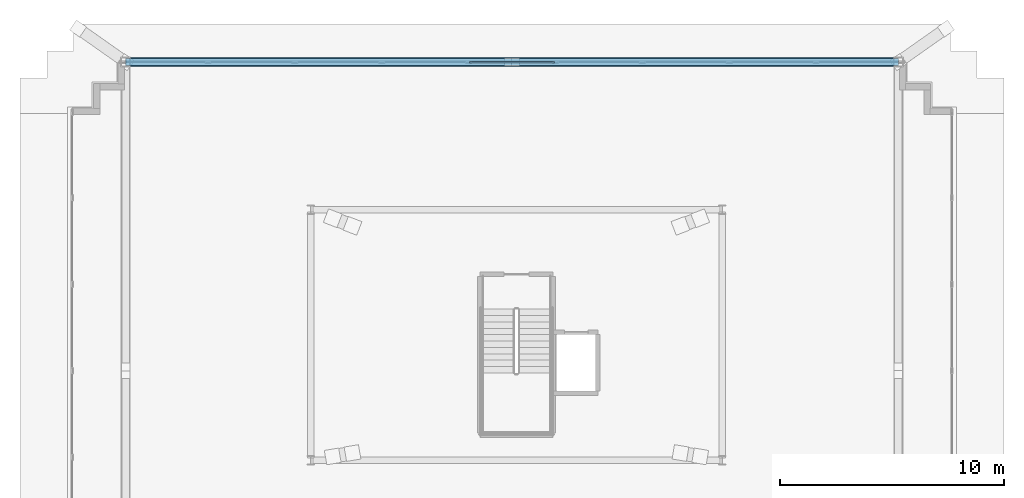
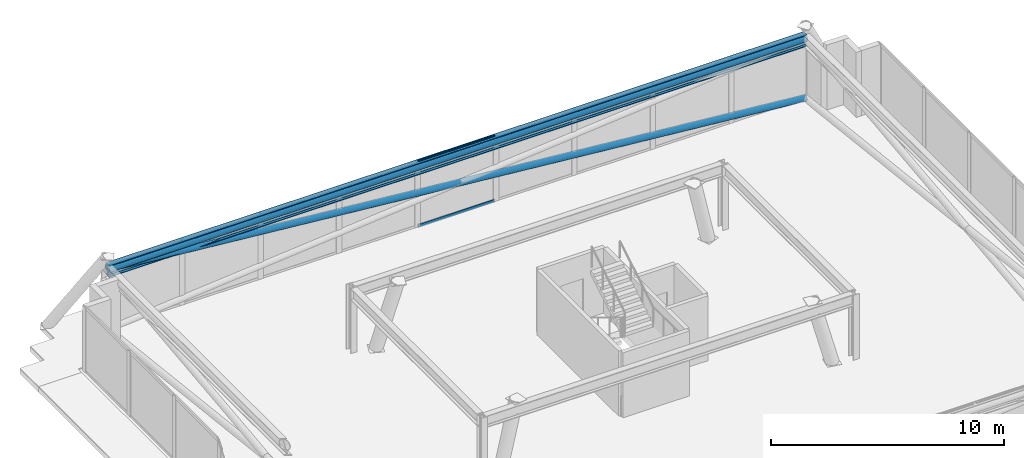
# One storey, part 13 of 22: 4 members, 1 beam, 1 element without a shape of its own.
"""IFC4 building model written with IfcOpenShell, lengths in metres."""

from ifc_helpers import new_model, si_unit, direction, frame, origin, origin_2d, place, context, subcontext, project, spatial, hollow_rectangle, hollow_circle, i_section, extrude, material, layer, layer_set, material_profile, profile_set, type_object, element, aggregate, save


model = new_model("IFC4")

# Units and contexts
model_context = context("Model", 3, precision=1e-05, world=origin(), true_north=direction((0.0, 1.0)))
body_context = subcontext(model_context, "Body", "Model", "MODEL_VIEW")
ifc_project = project(units=[si_unit("LENGTHUNIT", "METRE"), si_unit("AREAUNIT", "SQUARE_METRE"), si_unit("VOLUMEUNIT", "CUBIC_METRE"), si_unit("PLANEANGLEUNIT", "RADIAN"), si_unit("MASSUNIT", "GRAM", prefix="KILO")], contexts=[model_context])

# Site, building, storey
site_placement = place(None, origin())
site = spatial("IfcSite", under=ifc_project, at=site_placement, CompositionType="ELEMENT")
building_placement = place(site_placement, origin())
building = spatial("IfcBuilding", under=site, at=building_placement, Name="Qobustan Lattice House", CompositionType="ELEMENT")
storey_placement = place(building_placement, frame((0.0, 0.0, 274.0)))
storey = spatial("IfcBuildingStorey", under=building, at=storey_placement, Name="L77", CompositionType="ELEMENT", Elevation=274.0)

# Beam
ifc_material_1 = material(Name="Steel S355", Category="steel")
ifc_material_profile_1 = material_profile(ifc_material_1, i_section(OverallWidth=0.300048828125, OverallDepth=0.60009765625, WebThickness=0.015380859375, FlangeThickness=0.030029296875, FilletRadius=0.027099609375, at=origin_2d()), Name="HEB600")
ifc_profile_set_1 = profile_set([ifc_material_profile_1], Name="Steel S355")
beam_type = type_object("IfcBeamType", Name="BM-POD-HEB600", PredefinedType="USERDEFINED", material=ifc_profile_set_1)
beam_placement = place(storey_placement, frame((17.073486328125, 12.201416015625, 3.10009765625), z_axis=(-1.0, 0.0, 0.0), x_axis=(0.0, -1.0, 0.0)))
element("IfcBeam", 1, at=beam_placement, inside=storey, type_object=beam_type, Name="L77 crown perimeter ring beam 3", ObjectType="GIRDER", PredefinedType="USERDEFINED", context=body_context, shape_type="SweptSolid", body=[
    extrude(i_section(OverallWidth=0.300048828125, OverallDepth=0.60009765625, WebThickness=0.015380859375, FlangeThickness=0.030029296875, FilletRadius=0.027099609375, at=origin_2d()), origin(), (0.0, 0.0, 1.0), 34.546875),
])

# Curtain wall, members
ifc_material_2 = material(Name="Anodised aluminium and low-E glazing", Category="aluminium")
ifc_layer = layer(ifc_material_2, 0.219970703125)
ifc_layer_set = layer_set([ifc_layer], Name="Anodised aluminium and low-E glazing")
curtain_wall_type = type_object("IfcCurtainWallType", Name="CW-CRN-01", PredefinedType="USERDEFINED", material=ifc_layer_set)
curtain_wall_placement = place(storey_placement, origin())
curtain_wall = element("IfcCurtainWall", 2, at=curtain_wall_placement, inside=storey, type_object=curtain_wall_type, Name="L77 glass-point crown faceted curtain wall 10", ObjectType="CURTAIN WALL", PredefinedType="USERDEFINED")
ifc_material_3 = material(Name="Anodised aluminium EN AW-6063 T6", Category="aluminium")
ifc_material_profile_2 = material_profile(ifc_material_3, hollow_rectangle(XDim=0.06494140625, YDim=0.159912109375, WallThickness=0.00390625, at=origin_2d()), Name="CWT-160x65")
ifc_profile_set_2 = profile_set([ifc_material_profile_2], Name="Anodised aluminium EN AW-6063 T6")
member_type_1 = type_object("IfcMemberType", Name="CWT-HOR-160", PredefinedType="USERDEFINED", material=ifc_profile_set_2)
member_1_placement = place(storey_placement, frame((-2.096435546875, 12.201416015625, 0.032470703125), z_axis=(1.0, 0.0, 0.0), x_axis=(0.0, 1.0, 0.0)))
member_1 = element("IfcMember", 3, at=member_1_placement, type_object=member_type_1, Name="CW-CR transom 5.1", ObjectType="TRANSOM", PredefinedType="USERDEFINED", context=body_context, shape_type="SweptSolid", body=[
    extrude(hollow_rectangle(XDim=0.06494140625, YDim=0.159912109375, WallThickness=0.00390625, at=origin_2d()), origin(), (0.0, 0.0, 1.0), 3.79296875),
])
member_2_placement = place(storey_placement, frame((-2.096435546875, 12.201416015625, 3.367431640625), z_axis=(1.0, 0.0, 0.0), x_axis=(0.0, 1.0, 0.0)))
member_2 = element("IfcMember", 4, at=member_2_placement, type_object=member_type_1, Name="CW-CR transom 5.2", ObjectType="TRANSOM", PredefinedType="USERDEFINED", context=body_context, shape_type="SweptSolid", body=[
    extrude(hollow_rectangle(XDim=0.06494140625, YDim=0.159912109375, WallThickness=0.00390625, at=origin_2d()), origin(), (0.0, 0.0, 1.0), 3.79296875),
])
aggregate(curtain_wall, [member_1, member_2])

# Members
ifc_material_4 = material(Name="Steel S355", Category="steel")
ifc_material_profile_3 = material_profile(ifc_material_4, hollow_circle(Radius=0.161865234375, WallThickness=0.012451171875, at=origin_2d()), Name="CHS323.9x12.5")
ifc_profile_set_3 = profile_set([ifc_material_profile_3], Name="Steel S355")
member_type_2 = type_object("IfcMemberType", Name="MEM-CBR-CHS324", PredefinedType="BRACE", material=ifc_profile_set_3)
member_3_placement = place(storey_placement, frame((17.073486328125, 12.201416015625, 0.014892578125), z_axis=(-0.995829509319, 0.0, 0.091233701936), x_axis=(0.0, -1.0, 0.0)))
element("IfcMember", 5, at=member_3_placement, inside=storey, type_object=member_type_2, Name="L77 crown diagrid continuous brace 3A", PredefinedType="BRACE", context=body_context, shape_type="SweptSolid", body=[
    extrude(hollow_circle(Radius=0.161865234375, WallThickness=0.012451171875, at=origin_2d()), origin(), (0.0, 0.0, 1.0), 34.691650390625),
])
ifc_material_5 = material(Name="Steel S355", Category="steel")
ifc_material_profile_4 = material_profile(ifc_material_5, hollow_circle(Radius=0.203125, WallThickness=0.01611328125, at=origin_2d()), Name="CHS406.4x16")
ifc_profile_set_4 = profile_set([ifc_material_profile_4], Name="Steel S355")
member_type_3 = type_object("IfcMemberType", Name="MEM-RNG-CHS406", PredefinedType="CHORD", material=ifc_profile_set_4)
member_4_placement = place(storey_placement, frame((17.073486328125, 12.201416015625, 3.179931640625), z_axis=(-1.0, 0.0, 0.0), x_axis=(0.0, -1.0, 0.0)))
element("IfcMember", 6, at=member_4_placement, inside=storey, type_object=member_type_3, Name="L77 crown ring chord 3", PredefinedType="CHORD", context=body_context, shape_type="SweptSolid", body=[
    extrude(hollow_circle(Radius=0.203125, WallThickness=0.01611328125, at=origin_2d()), origin(), (0.0, 0.0, 1.0), 34.546875),
])

save(model, "model.ifc")
